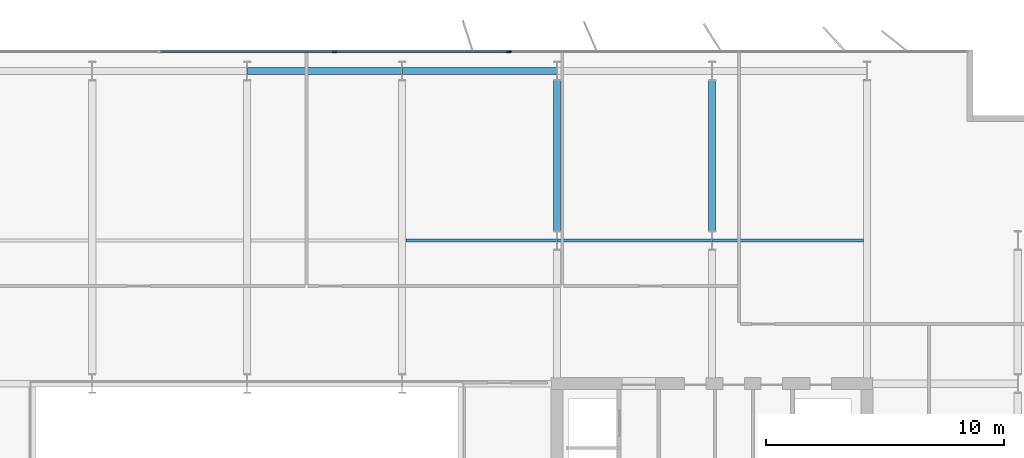
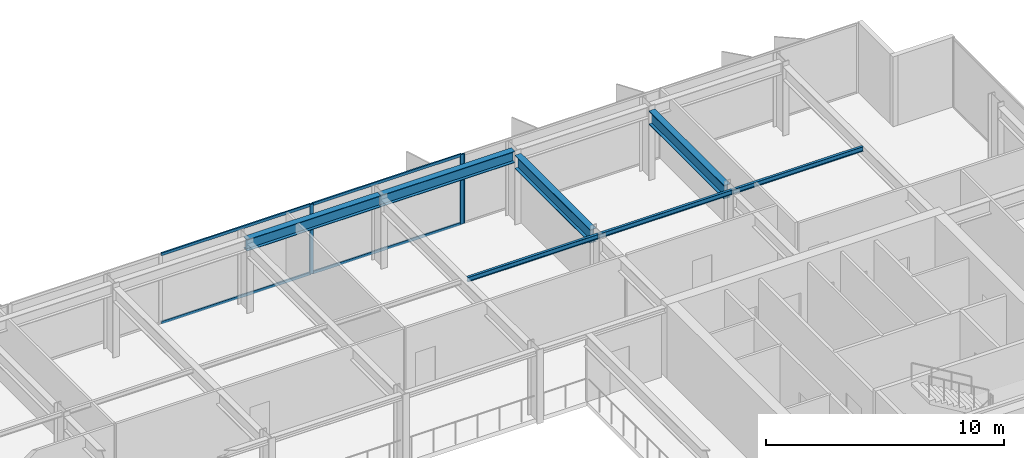
# One storey, part 12 of 23: 7 beams, 7 members, 2 elements without a shape of their own.
"""IFC4 building model written with IfcOpenShell, lengths in metres."""

from ifc_helpers import new_model, si_unit, direction, frame, origin, origin_2d, place, context, subcontext, project, spatial, rectangle, i_section, extrude, material, layer, layer_set, material_profile, profile_set, type_object, element, aggregate, save


model = new_model("IFC4")

# Units and contexts
model_context = context("Model", 3, precision=1e-05, world=origin(), true_north=direction((0.0, 1.0)))
body_context = subcontext(model_context, "Body", "Model", "MODEL_VIEW")
ifc_project = project(units=[si_unit("LENGTHUNIT", "METRE"), si_unit("AREAUNIT", "SQUARE_METRE"), si_unit("VOLUMEUNIT", "CUBIC_METRE"), si_unit("PLANEANGLEUNIT", "RADIAN"), si_unit("MASSUNIT", "GRAM", prefix="KILO")], contexts=[model_context])

# Site, building, storey
site_placement = place(None, origin())
site = spatial("IfcSite", under=ifc_project, at=site_placement, CompositionType="ELEMENT")
building_placement = place(site_placement, origin())
building = spatial("IfcBuilding", under=site, at=building_placement, Name="Putna Gate Headquarters", CompositionType="ELEMENT")
storey_placement = place(building_placement, frame((0.0, 0.0, 221.39990234375)))
storey = spatial("IfcBuildingStorey", under=building, at=storey_placement, Name="L55", CompositionType="ELEMENT", Elevation=221.39990234375)

# Beams
ifc_material_1 = material(Name="Steel S355J2", Category="steel")
ifc_material_profile_1 = material_profile(ifc_material_1, i_section(OverallWidth=0.300048828125, OverallDepth=0.699951171875, WebThickness=0.01708984375, FlangeThickness=0.031982421875, at=origin_2d()), Name="Steel S355J2")
ifc_profile_set_1 = profile_set([ifc_material_profile_1], Name="Steel S355J2")
beam_type_1 = type_object("IfcBeamType", Name="BM-GIRD-B-HEB700", PredefinedType="USERDEFINED", material=ifc_profile_set_1)
for number, where, z_axis, x_axis, name in (
    (1, (52.0, 39.39501953125, 3.22998046875), (0.0, 1.0, 0.0), (-1.0, 0.0, 0.0), "L55 North Primary Girder X52-2"),
    (2, (58.5, 39.39501953125, 3.22998046875), (0.0, 1.0, 0.0), (-1.0, 0.0, 0.0), "L55 North Primary Girder X58-2"),
):
    element("IfcBeam", number, at=place(storey_placement, frame(where, z_axis=z_axis, x_axis=x_axis)), inside=storey, type_object=beam_type_1, Name=name, ObjectType="GIRDER", PredefinedType="USERDEFINED", context=body_context, shape_type="SweptSolid", body=[
        extrude(i_section(OverallWidth=0.300048828125, OverallDepth=0.699951171875, WebThickness=0.01708984375, FlangeThickness=0.031982421875, at=origin_2d()), origin(), (0.0, 0.0, 1.0), 6.330078125),
    ])
ifc_material_profile_2 = material_profile(ifc_material_1, i_section(OverallWidth=0.1201171875, OverallDepth=0.239990234375, WebThickness=0.006103515625, FlangeThickness=0.009765625, at=origin_2d()), Name="Steel S355J2")
ifc_profile_set_2 = profile_set([ifc_material_profile_2], Name="Steel S355J2")
beam_type_2 = type_object("IfcBeamType", Name="BM-SEC-Z4-IPE240", PredefinedType="JOIST", material=ifc_profile_set_2)
beam_1_placement = place(storey_placement, frame((45.654052734375, 39.0, 3.460205078125), z_axis=(1.0, 0.0, 0.0), x_axis=(0.0, 1.0, 0.0)))
element("IfcBeam", 3, at=beam_1_placement, inside=storey, type_object=beam_type_2, Name="L55 North Secondary Beam 6", PredefinedType="JOIST", context=body_context, shape_type="SweptSolid", body=[
    extrude(i_section(OverallWidth=0.1201171875, OverallDepth=0.239990234375, WebThickness=0.006103515625, FlangeThickness=0.009765625, at=origin_2d()), origin(), (0.0, 0.0, 1.0), 6.33984375),
])
beam_2_placement = place(storey_placement, frame((52.006103515625, 39.0, 3.460205078125), z_axis=(1.0, 0.0, 0.0), x_axis=(0.0, 1.0, 0.0)))
element("IfcBeam", 4, at=beam_2_placement, inside=storey, type_object=beam_type_2, Name="L55 North Secondary Beam 7", PredefinedType="JOIST", context=body_context, shape_type="SweptSolid", body=[
    extrude(i_section(OverallWidth=0.1201171875, OverallDepth=0.239990234375, WebThickness=0.006103515625, FlangeThickness=0.009765625, at=origin_2d()), origin(), (0.0, 0.0, 1.0), 6.48779296875),
])
beam_3_placement = place(storey_placement, frame((58.506103515625, 39.0, 3.460205078125), z_axis=(1.0, 0.0, 0.0), x_axis=(0.0, 1.0, 0.0)))
element("IfcBeam", 5, at=beam_3_placement, inside=storey, type_object=beam_type_2, Name="L55 North Secondary Beam 8", PredefinedType="JOIST", context=body_context, shape_type="SweptSolid", body=[
    extrude(i_section(OverallWidth=0.1201171875, OverallDepth=0.239990234375, WebThickness=0.006103515625, FlangeThickness=0.009765625, at=origin_2d()), origin(), (0.0, 0.0, 1.0), 6.33984375),
])
ifc_material_profile_3 = material_profile(ifc_material_1, i_section(OverallWidth=0.300048828125, OverallDepth=0.590087890625, WebThickness=0.012939453125, FlangeThickness=0.02490234375, at=origin_2d()), Name="Steel S355J2")
ifc_profile_set_3 = profile_set([ifc_material_profile_3], Name="Steel S355J2")
beam_type_3 = type_object("IfcBeamType", Name="BM-SPAN-Z4-HEA600", PredefinedType="SPANDREL", material=ifc_profile_set_3)
for number, where, z_axis, x_axis, name in (
    (6, (39.006103515625, 46.1201171875, 3.28515625), (1.0, 0.0, 0.0), (0.0, 1.0, 0.0), "L55 N Perimeter Spandrel 5"),
    (7, (45.506103515625, 46.1201171875, 3.28515625), (1.0, 0.0, 0.0), (0.0, 1.0, 0.0), "L55 N Perimeter Spandrel 6"),
):
    element("IfcBeam", number, at=place(storey_placement, frame(where, z_axis=z_axis, x_axis=x_axis)), inside=storey, type_object=beam_type_3, Name=name, PredefinedType="SPANDREL", context=body_context, shape_type="SweptSolid", body=[
        extrude(i_section(OverallWidth=0.300048828125, OverallDepth=0.590087890625, WebThickness=0.012939453125, FlangeThickness=0.02490234375, at=origin_2d()), origin(), (0.0, 0.0, 1.0), 6.48779296875),
    ])

# Curtain wall, member
ifc_material_2 = material(Name="Anodised bronze aluminium curtain wall", Category="aluminium")
ifc_layer_1 = layer(ifc_material_2, 0.139892578125)
ifc_layer_set_1 = layer_set([ifc_layer_1], Name="Anodised bronze aluminium curtain wall")
curtain_wall_type_1 = type_object("IfcCurtainWallType", Name="CW-SYS-Z4", PredefinedType="USERDEFINED", material=ifc_layer_set_1)
curtain_wall_1_placement = place(storey_placement, origin())
curtain_wall_1 = element("IfcCurtainWall", 8, at=curtain_wall_1_placement, inside=storey, type_object=curtain_wall_type_1, Name="L55 North East Curtain Wall", ObjectType="STICK CURTAIN WALL", PredefinedType="USERDEFINED")
ifc_material_3 = material(Name="Anodised bronze aluminium EN AW-6060", Category="aluminium")
ifc_material_profile_4 = material_profile(ifc_material_3, rectangle(XDim=0.06005859375, YDim=0.139892578125, at=origin_2d()), Name="Anodised bronze aluminium EN AW-6060")
ifc_profile_set_4 = profile_set([ifc_material_profile_4], Name="Anodised bronze aluminium EN AW-6060")
member_type_1 = type_object("IfcMemberType", Name="MULL-CWM-4", PredefinedType="MULLION", material=ifc_profile_set_4)
member_1_placement = place(storey_placement, frame((50.030029296875, 46.919921875, 0.0), z_axis=(0.0, 0.0, 1.0), x_axis=(0.0, 1.0, 0.0)))
member_1 = element("IfcMember", 9, at=member_1_placement, type_object=member_type_1, Name="CWS-4 mullion 1", PredefinedType="MULLION", context=body_context, shape_type="SweptSolid", body=[
    extrude(rectangle(XDim=0.06005859375, YDim=0.139892578125, at=origin_2d()), origin(), (0.0, 0.0, 1.0), 3.580078125),
])
aggregate(curtain_wall_1, [member_1])

# Curtain wall, members
ifc_layer_2 = layer(ifc_material_2, 0.179931640625)
ifc_layer_set_2 = layer_set([ifc_layer_2], Name="Anodised bronze aluminium curtain wall")
curtain_wall_type_2 = type_object("IfcCurtainWallType", Name="CW-SYS-ATR", PredefinedType="USERDEFINED", material=ifc_layer_set_2)
curtain_wall_2_placement = place(storey_placement, origin())
curtain_wall_2 = element("IfcCurtainWall", 10, at=curtain_wall_2_placement, inside=storey, type_object=curtain_wall_type_2, Name="L55 North Atrium Clear Glazing", ObjectType="ATRIUM GLAZING", PredefinedType="USERDEFINED")
ifc_material_profile_5 = material_profile(ifc_material_3, rectangle(XDim=0.070068359375, YDim=0.179931640625, at=origin_2d()), Name="Anodised bronze aluminium EN AW-6060")
ifc_profile_set_5 = profile_set([ifc_material_profile_5], Name="Anodised bronze aluminium EN AW-6060")
member_type_2 = type_object("IfcMemberType", Name="MULL-CWM-AT", PredefinedType="MULLION", material=ifc_profile_set_5)
member_2_placement = place(storey_placement, frame((42.666748046875, 46.919921875, 0.0), z_axis=(0.0, 0.0, 1.0), x_axis=(0.0, 1.0, 0.0)))
member_2 = element("IfcMember", 11, at=member_2_placement, type_object=member_type_2, Name="CWS-AT mullion 3", PredefinedType="MULLION", context=body_context, shape_type="SweptSolid", body=[
    extrude(rectangle(XDim=0.070068359375, YDim=0.179931640625, at=origin_2d()), origin(), (0.0, 0.0, 1.0), 3.580078125),
])
member_3_placement = place(storey_placement, frame((49.965087890625, 46.919921875, 0.0), z_axis=(0.0, 0.0, 1.0), x_axis=(0.0, 1.0, 0.0)))
member_3 = element("IfcMember", 12, at=member_3_placement, type_object=member_type_2, Name="CWS-AT mullion 4", PredefinedType="MULLION", context=body_context, shape_type="SweptSolid", body=[
    extrude(rectangle(XDim=0.070068359375, YDim=0.179931640625, at=origin_2d()), origin(), (0.0, 0.0, 1.0), 3.580078125),
])
ifc_material_profile_6 = material_profile(ifc_material_3, rectangle(XDim=0.070068359375, YDim=0.139892578125, at=origin_2d()), Name="Anodised bronze aluminium EN AW-6060")
ifc_profile_set_6 = profile_set([ifc_material_profile_6], Name="Anodised bronze aluminium EN AW-6060")
member_type_3 = type_object("IfcMemberType", Name="TRAN-CWT-AT", PredefinedType="USERDEFINED", material=ifc_profile_set_6)
member_4_placement = place(storey_placement, frame((35.368408203125, 46.919921875, 0.03515625), z_axis=(1.0, 0.0, 0.0), x_axis=(0.0, 1.0, 0.0)))
member_4 = element("IfcMember", 13, at=member_4_placement, type_object=member_type_3, Name="CWS-AT transom 2.1", ObjectType="TRANSOM", PredefinedType="USERDEFINED", context=body_context, shape_type="SweptSolid", body=[
    extrude(rectangle(XDim=0.070068359375, YDim=0.139892578125, at=origin_2d()), origin(), (0.0, 0.0, 1.0), 7.26318359375),
])
member_5_placement = place(storey_placement, frame((35.368408203125, 46.919921875, 3.545166015625), z_axis=(1.0, 0.0, 0.0), x_axis=(0.0, 1.0, 0.0)))
member_5 = element("IfcMember", 14, at=member_5_placement, type_object=member_type_3, Name="CWS-AT transom 2.2", ObjectType="TRANSOM", PredefinedType="USERDEFINED", context=body_context, shape_type="SweptSolid", body=[
    extrude(rectangle(XDim=0.070068359375, YDim=0.139892578125, at=origin_2d()), origin(), (0.0, 0.0, 1.0), 7.26318359375),
])
member_6_placement = place(storey_placement, frame((42.70166015625, 46.919921875, 0.03515625), z_axis=(1.0, 0.0, 0.0), x_axis=(0.0, 1.0, 0.0)))
member_6 = element("IfcMember", 15, at=member_6_placement, type_object=member_type_3, Name="CWS-AT transom 3.1", ObjectType="TRANSOM", PredefinedType="USERDEFINED", context=body_context, shape_type="SweptSolid", body=[
    extrude(rectangle(XDim=0.070068359375, YDim=0.139892578125, at=origin_2d()), origin(), (0.0, 0.0, 1.0), 7.228271484375),
])
member_7_placement = place(storey_placement, frame((42.70166015625, 46.919921875, 3.545166015625), z_axis=(1.0, 0.0, 0.0), x_axis=(0.0, 1.0, 0.0)))
member_7 = element("IfcMember", 16, at=member_7_placement, type_object=member_type_3, Name="CWS-AT transom 3.2", ObjectType="TRANSOM", PredefinedType="USERDEFINED", context=body_context, shape_type="SweptSolid", body=[
    extrude(rectangle(XDim=0.070068359375, YDim=0.139892578125, at=origin_2d()), origin(), (0.0, 0.0, 1.0), 7.228271484375),
])
aggregate(curtain_wall_2, [member_2, member_3, member_4, member_5, member_6, member_7])

save(model, "model.ifc")
